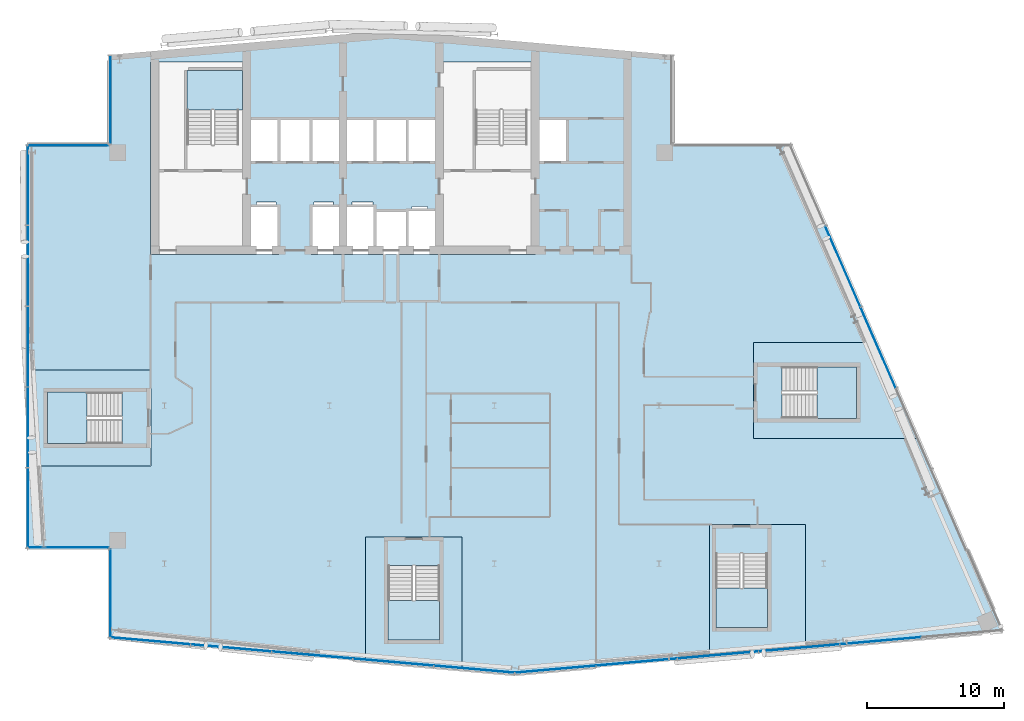
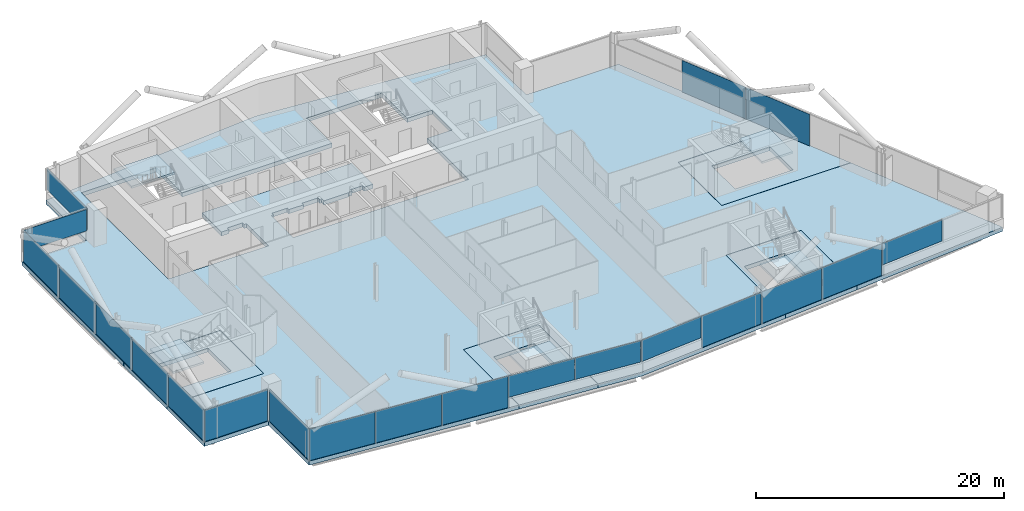
# One storey, part 13 of 25: 21 plates, 10 slabs, 13 elements without a shape of their own.
"""IFC4 building model written with IfcOpenShell, lengths in metres."""

from ifc_helpers import new_model, si_unit, direction, frame, origin, origin_2d, place, context, subcontext, project, spatial, polyline, rectangle, outline, extrude, material, layer, layer_set, type_object, element, aggregate, save


model = new_model("IFC4")

# Units and contexts
model_context = context("Model", 3, precision=1e-05, world=origin(), true_north=direction((0.0, 1.0)))
body_context = subcontext(model_context, "Body", "Model", "MODEL_VIEW")
ifc_project = project(units=[si_unit("LENGTHUNIT", "METRE"), si_unit("AREAUNIT", "SQUARE_METRE"), si_unit("VOLUMEUNIT", "CUBIC_METRE"), si_unit("PLANEANGLEUNIT", "RADIAN"), si_unit("MASSUNIT", "GRAM", prefix="KILO")], contexts=[model_context])

# Site, building, storey
site_placement = place(None, origin())
site = spatial("IfcSite", under=ifc_project, at=site_placement, CompositionType="ELEMENT")
building_placement = place(site_placement, origin())
building = spatial("IfcBuilding", under=site, at=building_placement, Name="Wharfspan Tower", CompositionType="ELEMENT")
storey_placement = place(building_placement, frame((0.0, 0.0, 232.300049)))
storey = spatial("IfcBuildingStorey", under=building, at=storey_placement, Name="L58", CompositionType="ELEMENT", Elevation=232.300049)

# Curtain wall, plates
ifc_material_1 = material(Name="Aluminium 6063-T6", Category="aluminium")
curtain_wall_type_1 = type_object("IfcCurtainWallType", Name="CURTAIN WALL FACETED FRONT", PredefinedType="NOTDEFINED", material=ifc_material_1)
curtain_wall_1_placement = place(storey_placement, origin())
curtain_wall_1 = element("IfcCurtainWall", 1, at=curtain_wall_1_placement, inside=storey, type_object=curtain_wall_type_1, Name="Curtain wall S1", PredefinedType="NOTDEFINED")
ifc_material_2 = material(Name="Glass clear low-iron double glazing", Category="glass")
ifc_layer_1 = layer(ifc_material_2, 0.040039)
ifc_layer_set_1 = layer_set([ifc_layer_1], Name="Glass clear low-iron double glazing")
plate_type_1 = type_object("IfcPlateType", Name="GLASS PANEL FACETED FRONT 40", PredefinedType="CURTAIN_PANEL", material=ifc_layer_set_1)
plate_1_placement = place(storey_placement, frame((40.655273, 4.328125, 1.0), z_axis=(0.0, 0.0, 1.0), x_axis=(0.996197, -0.087156, 0.0)))
plate_1 = element("IfcPlate", 2, at=plate_1_placement, type_object=plate_type_1, Name="Curtain wall S1 panel 4", PredefinedType="CURTAIN_PANEL", context=body_context, shape_type="SweptSolid", body=[
    extrude(rectangle(XDim=5.862549, YDim=0.040039, at=origin_2d()), origin(), (0.0, 0.0, 1.0), 2.120117),
])
plate_2_placement = place(storey_placement, frame((46.540283, 3.813232, 1.0), z_axis=(0.0, 0.0, 1.0), x_axis=(0.996197, -0.087156, 0.0)))
plate_2 = element("IfcPlate", 3, at=plate_2_placement, type_object=plate_type_1, Name="Curtain wall S1 panel 5", PredefinedType="CURTAIN_PANEL", context=body_context, shape_type="SweptSolid", body=[
    extrude(rectangle(XDim=5.83252, YDim=0.040039, at=origin_2d()), origin(), (0.0, 0.0, 1.0), 2.120117),
])

curtain_wall_2_placement = place(storey_placement, origin())
curtain_wall_2 = element("IfcCurtainWall", 4, at=curtain_wall_2_placement, inside=storey, type_object=curtain_wall_type_1, Name="Curtain wall S2", PredefinedType="NOTDEFINED")
plate_3_placement = place(storey_placement, frame((52.468018, 3.813965, 1.0), z_axis=(0.0, 0.0, 1.0), x_axis=(0.996197, 0.087156, 0.0)))
plate_3 = element("IfcPlate", 5, at=plate_3_placement, type_object=plate_type_1, Name="Curtain wall S2 panel 1", PredefinedType="CURTAIN_PANEL", context=body_context, shape_type="SweptSolid", body=[
    extrude(rectangle(XDim=5.849365, YDim=0.040039, at=origin_2d()), origin(), (0.0, 0.0, 1.0), 2.120117),
])
plate_4_placement = place(storey_placement, frame((76.119873, 5.883301, 1.0), z_axis=(0.0, 0.0, 1.0), x_axis=(0.996197, 0.087156, 0.0)))
plate_4 = element("IfcPlate", 6, at=plate_4_placement, type_object=plate_type_1, Name="Curtain wall S2 panel 5", PredefinedType="CURTAIN_PANEL", context=body_context, shape_type="SweptSolid", body=[
    extrude(rectangle(XDim=5.87915, YDim=0.040039, at=origin_2d()), origin(), (0.0, 0.0, 1.0), 2.120117),
])

# Curtain wall, plate
curtain_wall_type_2 = type_object("IfcCurtainWallType", Name="CURTAIN WALL PROW AND END", PredefinedType="NOTDEFINED", material=ifc_material_1)
curtain_wall_3_placement = place(storey_placement, origin())
curtain_wall_3 = element("IfcCurtainWall", 7, at=curtain_wall_3_placement, inside=storey, type_object=curtain_wall_type_2, Name="Curtain wall NRW-V", PredefinedType="NOTDEFINED")
ifc_layer_2 = layer(ifc_material_2, 0.040039)
ifc_layer_set_2 = layer_set([ifc_layer_2], Name="Glass clear low-iron double glazing")
plate_type_2 = type_object("IfcPlateType", Name="GLASS PANEL PROW AND END 40", PredefinedType="CURTAIN_PANEL", material=ifc_layer_set_2)
plate_5_placement = place(storey_placement, frame((20.080078, 45.262451, 1.0), z_axis=(0.0, 0.0, 1.0), x_axis=(0.0, -1.0, 0.0)))
plate_5 = element("IfcPlate", 8, at=plate_5_placement, type_object=plate_type_2, Name="Curtain wall NRW-V panel 1", PredefinedType="CURTAIN_PANEL", context=body_context, shape_type="SweptSolid", body=[
    extrude(rectangle(XDim=6.405029, YDim=0.040039, at=origin_2d()), origin(), (0.0, 0.0, 1.0), 2.120117),
])
aggregate(curtain_wall_3, [plate_5])

curtain_wall_4_placement = place(storey_placement, origin())
curtain_wall_4 = element("IfcCurtainWall", 9, at=curtain_wall_4_placement, inside=storey, type_object=curtain_wall_type_2, Name="Curtain wall NRW-H", PredefinedType="NOTDEFINED")
plate_6_placement = place(storey_placement, frame((17.0, 41.919922, 1.0), z_axis=(0.0, 0.0, 1.0), x_axis=(-1.0, 0.0, 0.0)))
plate_6 = element("IfcPlate", 10, at=plate_6_placement, type_object=plate_type_2, Name="Curtain wall NRW-H panel 1", PredefinedType="CURTAIN_PANEL", context=body_context, shape_type="SweptSolid", body=[
    extrude(rectangle(XDim=5.879883, YDim=0.040039, at=origin_2d()), origin(), (0.0, 0.0, 1.0), 2.120117),
])
aggregate(curtain_wall_4, [plate_6])

# Plate
ifc_material_3 = material(Name="Aluminium composite opaque insulated panel", Category="aluminium")
ifc_layer_3 = layer(ifc_material_3, 0.040039)
ifc_layer_set_3 = layer_set([ifc_layer_3], Name="Aluminium composite opaque insulated panel")
plate_type_3 = type_object("IfcPlateType", Name="INFILL PANEL FACETED FRONT OPAQUE 40", PredefinedType="SHEET", material=ifc_layer_set_3)
plate_7_placement = place(storey_placement, frame((22.970215, 5.875488, 0.0), z_axis=(0.0, 0.0, 1.0), x_axis=(0.996197, -0.087156, 0.0)))
plate_7 = element("IfcPlate", 11, at=plate_7_placement, type_object=plate_type_3, Name="Curtain wall S1 panel 1", PredefinedType="SHEET", context=body_context, shape_type="SweptSolid", body=[
    extrude(rectangle(XDim=5.83252, YDim=0.040039, at=origin_2d()), origin(), (0.0, 0.0, 1.0), 3.120117),
])

plate_8_placement = place(storey_placement, frame((28.855225, 5.360596, 0.0), z_axis=(0.0, 0.0, 1.0), x_axis=(0.996197, -0.087156, 0.0)))
plate_8 = element("IfcPlate", 12, at=plate_8_placement, type_object=plate_type_3, Name="Curtain wall S1 panel 2", PredefinedType="SHEET", context=body_context, shape_type="SweptSolid", body=[
    extrude(rectangle(XDim=5.862549, YDim=0.040039, at=origin_2d()), origin(), (0.0, 0.0, 1.0), 3.120117),
])

plate_9_placement = place(storey_placement, frame((34.755127, 4.844482, 0.0), z_axis=(0.0, 0.0, 1.0), x_axis=(0.996197, -0.087156, 0.0)))
plate_9 = element("IfcPlate", 13, at=plate_9_placement, type_object=plate_type_3, Name="Curtain wall S1 panel 3", PredefinedType="SHEET", context=body_context, shape_type="SweptSolid", body=[
    extrude(rectangle(XDim=5.862549, YDim=0.040039, at=origin_2d()), origin(), (0.0, 0.0, 1.0), 3.120117),
])

aggregate(curtain_wall_1, [plate_7, plate_8, plate_9, plate_1, plate_2])

plate_10_placement = place(storey_placement, frame((58.369873, 4.330322, 0.0), z_axis=(0.0, 0.0, 1.0), x_axis=(0.996197, 0.087156, 0.0)))
plate_10 = element("IfcPlate", 14, at=plate_10_placement, type_object=plate_type_3, Name="Curtain wall S2 panel 2", PredefinedType="SHEET", context=body_context, shape_type="SweptSolid", body=[
    extrude(rectangle(XDim=5.87915, YDim=0.040039, at=origin_2d()), origin(), (0.0, 0.0, 1.0), 3.120117),
])

plate_11_placement = place(storey_placement, frame((64.286377, 4.848145, 0.0), z_axis=(0.0, 0.0, 1.0), x_axis=(0.996197, 0.087156, 0.0)))
plate_11 = element("IfcPlate", 15, at=plate_11_placement, type_object=plate_type_3, Name="Curtain wall S2 panel 3", PredefinedType="SHEET", context=body_context, shape_type="SweptSolid", body=[
    extrude(rectangle(XDim=5.87915, YDim=0.040039, at=origin_2d()), origin(), (0.0, 0.0, 1.0), 3.120117),
])

plate_12_placement = place(storey_placement, frame((70.203125, 5.365723, 0.0), z_axis=(0.0, 0.0, 1.0), x_axis=(0.996197, 0.087156, 0.0)))
plate_12 = element("IfcPlate", 16, at=plate_12_placement, type_object=plate_type_3, Name="Curtain wall S2 panel 4", PredefinedType="SHEET", context=body_context, shape_type="SweptSolid", body=[
    extrude(rectangle(XDim=5.87915, YDim=0.040039, at=origin_2d()), origin(), (0.0, 0.0, 1.0), 3.120117),
])

aggregate(curtain_wall_2, [plate_3, plate_10, plate_11, plate_12, plate_4])

# Curtain wall, plates
curtain_wall_5_placement = place(storey_placement, origin())
curtain_wall_5 = element("IfcCurtainWall", 17, at=curtain_wall_5_placement, inside=storey, type_object=curtain_wall_type_2, Name="Curtain wall E", PredefinedType="NOTDEFINED")
ifc_layer_4 = layer(ifc_material_3, 0.040039)
ifc_layer_set_4 = layer_set([ifc_layer_4], Name="Aluminium composite opaque insulated panel")
plate_type_4 = type_object("IfcPlateType", Name="INFILL PANEL PROW AND END OPAQUE 40", PredefinedType="SHEET", material=ifc_layer_set_4)
plate_13_placement = place(storey_placement, frame((75.948486, 27.218018, 0.0), z_axis=(0.0, 0.0, 1.0), x_axis=(-0.398727, 0.917072, 0.0)))
plate_13 = element("IfcPlate", 18, at=plate_13_placement, type_object=plate_type_4, Name="Curtain wall E panel 4", PredefinedType="SHEET", context=body_context, shape_type="SweptSolid", body=[
    extrude(rectangle(XDim=6.373535, YDim=0.040039, at=origin_2d()), origin(), (0.0, 0.0, 1.0), 3.120117),
])
plate_14_placement = place(storey_placement, frame((73.383057, 33.118164, 0.0), z_axis=(0.0, 0.0, 1.0), x_axis=(-0.398727, 0.917072, 0.0)))
plate_14 = element("IfcPlate", 19, at=plate_14_placement, type_object=plate_type_4, Name="Curtain wall E panel 5", PredefinedType="SHEET", context=body_context, shape_type="SweptSolid", body=[
    extrude(rectangle(XDim=6.373535, YDim=0.040039, at=origin_2d()), origin(), (0.0, 0.0, 1.0), 3.120117),
])
aggregate(curtain_wall_5, [plate_13, plate_14])

curtain_wall_6_placement = place(storey_placement, origin())
curtain_wall_6 = element("IfcCurtainWall", 20, at=curtain_wall_6_placement, inside=storey, type_object=curtain_wall_type_2, Name="Curtain wall W", PredefinedType="NOTDEFINED")
plate_15_placement = place(storey_placement, frame((14.080078, 39.044922, 0.0), z_axis=(0.0, 0.0, 1.0), x_axis=(0.0, -1.0, 0.0)))
plate_15 = element("IfcPlate", 21, at=plate_15_placement, type_object=plate_type_4, Name="Curtain wall W panel 1", PredefinedType="SHEET", context=body_context, shape_type="SweptSolid", body=[
    extrude(rectangle(XDim=5.790039, YDim=0.040039, at=origin_2d()), origin(), (0.0, 0.0, 1.0), 3.120117),
])
plate_16_placement = place(storey_placement, frame((14.080078, 33.179932, 0.0), z_axis=(0.0, 0.0, 1.0), x_axis=(0.0, -1.0, 0.0)))
plate_16 = element("IfcPlate", 22, at=plate_16_placement, type_object=plate_type_4, Name="Curtain wall W panel 2", PredefinedType="SHEET", context=body_context, shape_type="SweptSolid", body=[
    extrude(rectangle(XDim=5.820068, YDim=0.040039, at=origin_2d()), origin(), (0.0, 0.0, 1.0), 3.120117),
])
plate_17_placement = place(storey_placement, frame((14.080078, 27.300049, 0.0), z_axis=(0.0, 0.0, 1.0), x_axis=(0.0, -1.0, 0.0)))
plate_17 = element("IfcPlate", 23, at=plate_17_placement, type_object=plate_type_4, Name="Curtain wall W panel 3", PredefinedType="SHEET", context=body_context, shape_type="SweptSolid", body=[
    extrude(rectangle(XDim=5.820068, YDim=0.040039, at=origin_2d()), origin(), (0.0, 0.0, 1.0), 3.120117),
])
plate_18_placement = place(storey_placement, frame((14.080078, 21.419922, 0.0), z_axis=(0.0, 0.0, 1.0), x_axis=(0.0, -1.0, 0.0)))
plate_18 = element("IfcPlate", 24, at=plate_18_placement, type_object=plate_type_4, Name="Curtain wall W panel 4", PredefinedType="SHEET", context=body_context, shape_type="SweptSolid", body=[
    extrude(rectangle(XDim=5.820068, YDim=0.040039, at=origin_2d()), origin(), (0.0, 0.0, 1.0), 3.120117),
])
plate_19_placement = place(storey_placement, frame((14.080078, 15.554932, 0.0), z_axis=(0.0, 0.0, 1.0), x_axis=(0.0, -1.0, 0.0)))
plate_19 = element("IfcPlate", 25, at=plate_19_placement, type_object=plate_type_4, Name="Curtain wall W panel 5", PredefinedType="SHEET", context=body_context, shape_type="SweptSolid", body=[
    extrude(rectangle(XDim=5.790039, YDim=0.040039, at=origin_2d()), origin(), (0.0, 0.0, 1.0), 3.120117),
])
aggregate(curtain_wall_6, [plate_15, plate_16, plate_17, plate_18, plate_19])

# Curtain wall, plate
curtain_wall_7_placement = place(storey_placement, origin())
curtain_wall_7 = element("IfcCurtainWall", 26, at=curtain_wall_7_placement, inside=storey, type_object=curtain_wall_type_2, Name="Curtain wall NFW-H", PredefinedType="NOTDEFINED")
plate_20_placement = place(storey_placement, frame((17.0, 12.679932, 0.0), z_axis=(0.0, 0.0, 1.0), x_axis=(1.0, 0.0, 0.0)))
plate_20 = element("IfcPlate", 27, at=plate_20_placement, type_object=plate_type_4, Name="Curtain wall NFW-H panel 1", PredefinedType="SHEET", context=body_context, shape_type="SweptSolid", body=[
    extrude(rectangle(XDim=5.879883, YDim=0.040039, at=origin_2d()), origin(), (0.0, 0.0, 1.0), 3.120117),
])
aggregate(curtain_wall_7, [plate_20])

curtain_wall_8_placement = place(storey_placement, origin())
curtain_wall_8 = element("IfcCurtainWall", 28, at=curtain_wall_8_placement, inside=storey, type_object=curtain_wall_type_2, Name="Curtain wall NFW-V", PredefinedType="NOTDEFINED")
plate_21_placement = place(storey_placement, frame((20.080078, 9.337646, 0.0), z_axis=(0.0, 0.0, 1.0), x_axis=(0.0, -1.0, 0.0)))
plate_21 = element("IfcPlate", 29, at=plate_21_placement, type_object=plate_type_4, Name="Curtain wall NFW-V panel 1", PredefinedType="SHEET", context=body_context, shape_type="SweptSolid", body=[
    extrude(rectangle(XDim=6.405029, YDim=0.040039, at=origin_2d()), origin(), (0.0, 0.0, 1.0), 3.120117),
])
aggregate(curtain_wall_8, [plate_21])

# Slabs
ifc_material_4 = material(Name="Concrete C40/50", Category="concrete")
ifc_layer_5 = layer(ifc_material_4, 0.399902)
ifc_layer_set_5 = layer_set([ifc_layer_5], Name="Concrete C40/50")
slab_type_1 = type_object("IfcSlabType", Name="Post-tensioned flat slab 400", PredefinedType="FLOOR", material=ifc_layer_set_5)
slab_1_placement = place(storey_placement, frame((0.0, 0.0, -0.400146)))
element("IfcSlab", 30, at=slab_1_placement, inside=storey, type_object=slab_type_1, Name="Floor slab L58", PredefinedType="FLOOR", context=body_context, shape_type="SweptSolid", body=[
    extrude(outline(polyline([(38.64209, 4.444092), (38.64209, 13.453125), (45.662109, 13.453125), (45.662109, 3.829834), (49.5, 3.494141), (63.658691, 4.73291), (63.658691, 14.356201), (70.678711, 14.356201), (70.678711, 5.347168), (85.0, 6.600098), (78.91748, 20.590088), (66.859619, 20.590088), (66.859619, 27.610107), (75.865234, 27.610107), (69.608643, 42.0), (61.0, 42.0), (61.0, 48.524902), (40.5, 50.318359), (20.0, 48.524902), (20.0, 42.0), (14.0, 42.0), (14.0, 25.610107), (23.01001, 25.610107), (23.01001, 18.590088), (14.0, 18.590088), (14.0, 12.600098), (20.0, 12.600098), (20.0, 6.075195), (38.64209, 4.444092)]), holes=[polyline([(32.126709, 37.560059), (32.343262, 37.560059), (32.343262, 33.98999), (22.98999, 33.98999), (22.98999, 48.01001), (30.01001, 48.01001), (30.01001, 43.909912), (43.98999, 43.909912), (43.98999, 48.01001), (51.01001, 48.01001), (51.01001, 43.909912), (53.343262, 43.909912), (53.343262, 40.689941), (51.01001, 40.689941), (51.01001, 33.98999), (34.656738, 33.98999), (34.656738, 37.560059), (34.873291, 37.560059), (34.873291, 37.810059), (36.293213, 37.810059), (36.293213, 37.560059), (37.666748, 37.560059), (37.666748, 37.810059), (39.166748, 37.810059), (39.166748, 37.560059), (39.343262, 37.560059), (39.343262, 37.209961), (41.656738, 37.209961), (41.656738, 37.26001), (42.023193, 37.26001), (42.023193, 37.51001), (43.143311, 37.51001), (43.143311, 37.26001), (43.98999, 37.26001), (43.98999, 40.689941), (30.01001, 40.689941), (30.01001, 37.560059), (30.706787, 37.560059), (30.706787, 37.810059), (32.126709, 37.810059), (32.126709, 37.560059)])]), origin(), (0.0, 0.0, 1.0), 0.400146),
])
slab_2_placement = place(storey_placement, frame((0.0, 0.0, -0.400146)))
element("IfcSlab", 31, at=slab_2_placement, inside=storey, type_object=slab_type_1, Name="Core floor slab L58 part 1", PredefinedType="FLOOR", context=body_context, shape_type="SweptSolid", body=[
    extrude(outline(polyline([(23.0, 19.925049), (23.0, 24.274902), (23.0, 25.600098), (14.0, 25.600098), (14.0, 18.600098), (23.0, 18.600098), (23.0, 19.925049)]), holes=[polyline([(20.899902, 23.977051), (20.900146, 23.977051), (20.900391, 23.977051), (20.900635, 23.976807), (20.900879, 23.976807), (20.900879, 23.976807), (20.901123, 23.976807), (20.901367, 23.976562), (20.901367, 23.976318), (20.901611, 23.976318), (20.901611, 23.976074), (20.901855, 23.97583), (20.901855, 23.97583), (20.901855, 23.975586), (20.9021, 23.975342), (20.9021, 23.975098), (20.9021, 23.975098), (20.9021, 20.225098), (20.9021, 20.224854), (20.9021, 20.224609), (20.901855, 20.224365), (20.901855, 20.224121), (20.901855, 20.224121), (20.901611, 20.223877), (20.901611, 20.223633), (20.901367, 20.223633), (20.901367, 20.223389), (20.901123, 20.223389), (20.900879, 20.223145), (20.900879, 20.223145), (20.900635, 20.223145), (20.900391, 20.2229), (20.900146, 20.2229), (20.899902, 20.2229), (15.5, 20.2229), (15.499756, 20.2229), (15.499512, 20.2229), (15.499512, 20.223145), (15.499268, 20.223145), (15.499023, 20.223145), (15.498779, 20.223389), (15.498779, 20.223389), (15.498535, 20.223633), (15.498535, 20.223633), (15.498291, 20.223877), (15.498291, 20.224121), (15.498291, 20.224121), (15.498047, 20.224365), (15.498047, 20.224609), (15.498047, 20.224854), (15.498047, 20.225098), (15.498047, 23.975098), (15.498047, 23.975098), (15.498047, 23.975342), (15.498047, 23.975586), (15.498291, 23.97583), (15.498291, 23.97583), (15.498291, 23.976074), (15.498535, 23.976318), (15.498535, 23.976318), (15.498779, 23.976562), (15.498779, 23.976807), (15.499023, 23.976807), (15.499268, 23.976807), (15.499512, 23.976807), (15.499512, 23.977051), (15.499756, 23.977051), (15.5, 23.977051), (20.899902, 23.977051)])]), origin(), (0.0, 0.0, 1.0), 0.400146),
])
slab_3_placement = place(storey_placement, frame((0.0, 0.0, -0.400146)))
element("IfcSlab", 32, at=slab_3_placement, inside=storey, type_object=slab_type_1, Name="Core floor slab L58 part 3", PredefinedType="FLOOR", context=body_context, shape_type="SweptSolid", body=[
    extrude(outline(polyline([(44.327148, 13.443115), (39.977051, 13.443115), (38.6521, 13.443115), (38.6521, 4.443115), (45.6521, 3.830811), (45.6521, 13.443115), (44.327148, 13.443115)]), holes=[polyline([(40.275146, 11.343262), (40.275146, 11.343506), (40.275146, 11.343506), (40.275146, 11.34375), (40.275391, 11.343994), (40.275391, 11.344238), (40.275391, 11.344238), (40.275635, 11.344482), (40.275635, 11.344482), (40.275879, 11.344727), (40.275879, 11.344971), (40.276123, 11.344971), (40.276367, 11.345215), (40.276611, 11.345215), (40.276611, 11.345215), (40.276855, 11.345215), (40.2771, 11.345215), (44.0271, 11.345215), (44.027344, 11.345215), (44.027588, 11.345215), (44.027588, 11.345215), (44.027832, 11.345215), (44.028076, 11.344971), (44.02832, 11.344971), (44.02832, 11.344727), (44.028564, 11.344482), (44.028809, 11.344482), (44.028809, 11.344238), (44.028809, 11.344238), (44.029053, 11.343994), (44.029053, 11.34375), (44.029053, 11.343506), (44.029053, 11.343506), (44.029053, 11.343262), (44.029053, 5.943115), (44.029053, 5.943115), (44.029053, 5.942871), (44.029053, 5.942627), (44.029053, 5.942383), (44.028809, 5.942383), (44.028809, 5.942139), (44.028809, 5.941895), (44.028564, 5.941895), (44.02832, 5.94165), (44.02832, 5.94165), (44.028076, 5.941406), (44.027832, 5.941406), (44.027588, 5.941406), (44.027588, 5.941406), (44.027344, 5.941162), (44.0271, 5.941162), (40.2771, 5.941162), (40.276855, 5.941162), (40.276611, 5.941406), (40.276611, 5.941406), (40.276367, 5.941406), (40.276123, 5.941406), (40.275879, 5.94165), (40.275879, 5.94165), (40.275635, 5.941895), (40.275635, 5.941895), (40.275391, 5.942139), (40.275391, 5.942383), (40.275391, 5.942383), (40.275146, 5.942627), (40.275146, 5.942871), (40.275146, 5.943115), (40.275146, 5.943115), (40.275146, 11.343262)])]), origin(), (0.0, 0.0, 1.0), 0.400146),
])
slab_4_placement = place(storey_placement, frame((0.0, 0.0, -0.400146)))
element("IfcSlab", 33, at=slab_4_placement, inside=storey, type_object=slab_type_1, Name="Core floor slab L58 part 4", PredefinedType="FLOOR", context=body_context, shape_type="SweptSolid", body=[
    extrude(outline(polyline([(70.668701, 14.346191), (68.193848, 14.346191), (63.84375, 14.346191), (63.668701, 14.346191), (63.668701, 4.733887), (70.668701, 5.346191), (70.668701, 14.346191)]), holes=[polyline([(64.141846, 12.246094), (64.141846, 12.246338), (64.141846, 12.246582), (64.141846, 12.246826), (64.14209, 12.246826), (64.14209, 12.24707), (64.14209, 12.247314), (64.142334, 12.247559), (64.142334, 12.247559), (64.142578, 12.247803), (64.142578, 12.247803), (64.142822, 12.247803), (64.143066, 12.248047), (64.143311, 12.248047), (64.143311, 12.248047), (64.143555, 12.248291), (64.143799, 12.248291), (67.893799, 12.248291), (67.894043, 12.248291), (67.894287, 12.248047), (67.894287, 12.248047), (67.894531, 12.248047), (67.894775, 12.247803), (67.89502, 12.247803), (67.89502, 12.247803), (67.895264, 12.247559), (67.895508, 12.247559), (67.895508, 12.247314), (67.895508, 12.24707), (67.895752, 12.246826), (67.895752, 12.246826), (67.895752, 12.246582), (67.895752, 12.246338), (67.895752, 12.246094), (67.895752, 6.846191), (67.895752, 6.845947), (67.895752, 6.845703), (67.895752, 6.845703), (67.895752, 6.845459), (67.895508, 6.845215), (67.895508, 6.845215), (67.895508, 6.844971), (67.895264, 6.844727), (67.89502, 6.844482), (67.89502, 6.844482), (67.894775, 6.844482), (67.894531, 6.844238), (67.894287, 6.844238), (67.894287, 6.844238), (67.894043, 6.844238), (67.893799, 6.844238), (64.143799, 6.844238), (64.143555, 6.844238), (64.143311, 6.844238), (64.143311, 6.844238), (64.143066, 6.844238), (64.142822, 6.844482), (64.142578, 6.844482), (64.142578, 6.844482), (64.142334, 6.844727), (64.142334, 6.844971), (64.14209, 6.845215), (64.14209, 6.845215), (64.14209, 6.845459), (64.141846, 6.845703), (64.141846, 6.845703), (64.141846, 6.845947), (64.141846, 6.846191), (64.141846, 12.246094)])]), origin(), (0.0, 0.0, 1.0), 0.400146),
])
slab_5_placement = place(storey_placement, frame((0.0, 0.0, -0.400146)))
element("IfcSlab", 34, at=slab_5_placement, inside=storey, type_object=slab_type_1, Name="Core floor slab L58 part 5", PredefinedType="FLOOR", context=body_context, shape_type="SweptSolid", body=[
    extrude(outline(polyline([(75.869629, 27.600098), (66.869629, 27.600098), (66.869629, 26.125), (66.869629, 21.774902), (66.869629, 20.600098), (78.913086, 20.600098), (75.869629, 27.600098)]), holes=[polyline([(68.967529, 25.824951), (68.967529, 25.825195), (68.967529, 25.825439), (68.967773, 25.825684), (68.967773, 25.825684), (68.967773, 25.825928), (68.968018, 25.826172), (68.968018, 25.826416), (68.968262, 25.826416), (68.968262, 25.826416), (68.968506, 25.82666), (68.968506, 25.826904), (68.96875, 25.826904), (68.968994, 25.826904), (68.969238, 25.826904), (68.969482, 25.826904), (68.969482, 25.826904), (74.369629, 25.826904), (74.369873, 25.826904), (74.370117, 25.826904), (74.370117, 25.826904), (74.370361, 25.826904), (74.370605, 25.826904), (74.370605, 25.82666), (74.37085, 25.826416), (74.371094, 25.826416), (74.371094, 25.826416), (74.371094, 25.826172), (74.371338, 25.825928), (74.371338, 25.825684), (74.371582, 25.825684), (74.371582, 25.825439), (74.371582, 25.825195), (74.371582, 25.824951), (74.371582, 22.074951), (74.371582, 22.074707), (74.371582, 22.074707), (74.371582, 22.074463), (74.371338, 22.074219), (74.371338, 22.074219), (74.371094, 22.073975), (74.371094, 22.07373), (74.371094, 22.073486), (74.37085, 22.073486), (74.370605, 22.073242), (74.370605, 22.073242), (74.370361, 22.073242), (74.370117, 22.072998), (74.370117, 22.072998), (74.369873, 22.072998), (74.369629, 22.072998), (68.969482, 22.072998), (68.969482, 22.072998), (68.969238, 22.072998), (68.968994, 22.072998), (68.96875, 22.073242), (68.968506, 22.073242), (68.968506, 22.073242), (68.968262, 22.073486), (68.968262, 22.073486), (68.968018, 22.07373), (68.968018, 22.073975), (68.967773, 22.074219), (68.967773, 22.074219), (68.967773, 22.074463), (68.967529, 22.074707), (68.967529, 22.074707), (68.967529, 22.074951), (68.967529, 25.824951)])]), origin(), (0.0, 0.0, 1.0), 0.400146),
])

# Stair, slab
stair_type = type_object("IfcStairType", Name="Half-turn stair 20 risers 180 mm", PredefinedType="HALF_TURN_STAIR", material=ifc_material_4)
stair_1_placement = place(storey_placement, origin())
stair_1 = element("IfcStair", 35, at=stair_1_placement, inside=storey, type_object=stair_type, Name="L58 stair ST1", PredefinedType="HALF_TURN_STAIR")
ifc_layer_6 = layer(ifc_material_4, 0.199951)
ifc_layer_set_6 = layer_set([ifc_layer_6], Name="Concrete C40/50")
slab_type_2 = type_object("IfcSlabType", Name="Stair landing 200", PredefinedType="LANDING", material=ifc_layer_set_6)
slab_6_placement = place(storey_placement, frame((0.0, 0.0, 1.599854)))
slab_6 = element("IfcSlab", 36, at=slab_6_placement, type_object=slab_type_2, Name="ST1 landing 1", PredefinedType="LANDING", context=body_context, shape_type="SweptSolid", body=[
    extrude(outline(polyline([(25.649902, 44.52002), (29.699951, 44.52002), (29.699951, 47.399902), (25.649902, 47.399902), (25.649902, 44.52002)])), origin(), (0.0, 0.0, 1.0), 0.200195),
])
aggregate(stair_1, [slab_6])

stair_2_placement = place(storey_placement, origin())
stair_2 = element("IfcStair", 37, at=stair_2_placement, inside=storey, type_object=stair_type, Name="L58 stair ST3", PredefinedType="HALF_TURN_STAIR")
slab_7_placement = place(storey_placement, frame((0.0, 0.0, 1.599854)))
slab_7 = element("IfcSlab", 38, at=slab_7_placement, type_object=slab_type_2, Name="ST3 landing 1", PredefinedType="LANDING", context=body_context, shape_type="SweptSolid", body=[
    extrude(outline(polyline([(18.379883, 23.975098), (15.5, 23.975098), (15.5, 20.225098), (18.379883, 20.225098), (18.379883, 23.975098)])), origin(), (0.0, 0.0, 1.0), 0.200195),
])
aggregate(stair_2, [slab_7])

stair_3_placement = place(storey_placement, origin())
stair_3 = element("IfcStair", 39, at=stair_3_placement, inside=storey, type_object=stair_type, Name="L58 stair ST4", PredefinedType="HALF_TURN_STAIR")
slab_8_placement = place(storey_placement, frame((0.0, 0.0, 1.599854)))
slab_8 = element("IfcSlab", 40, at=slab_8_placement, type_object=slab_type_2, Name="ST4 landing 1", PredefinedType="LANDING", context=body_context, shape_type="SweptSolid", body=[
    extrude(outline(polyline([(40.2771, 8.823242), (40.2771, 5.943115), (44.0271, 5.943115), (44.0271, 8.823242), (40.2771, 8.823242)])), origin(), (0.0, 0.0, 1.0), 0.200195),
])
aggregate(stair_3, [slab_8])

stair_4_placement = place(storey_placement, origin())
stair_4 = element("IfcStair", 41, at=stair_4_placement, inside=storey, type_object=stair_type, Name="L58 stair ST5", PredefinedType="HALF_TURN_STAIR")
slab_9_placement = place(storey_placement, frame((0.0, 0.0, 1.599854)))
slab_9 = element("IfcSlab", 42, at=slab_9_placement, type_object=slab_type_2, Name="ST5 landing 1", PredefinedType="LANDING", context=body_context, shape_type="SweptSolid", body=[
    extrude(outline(polyline([(64.143799, 9.726074), (64.143799, 6.846191), (67.893799, 6.846191), (67.893799, 9.726074), (64.143799, 9.726074)])), origin(), (0.0, 0.0, 1.0), 0.200195),
])
aggregate(stair_4, [slab_9])

stair_5_placement = place(storey_placement, origin())
stair_5 = element("IfcStair", 43, at=stair_5_placement, inside=storey, type_object=stair_type, Name="L58 stair ST6", PredefinedType="HALF_TURN_STAIR")
slab_10_placement = place(storey_placement, frame((0.0, 0.0, 1.599854)))
slab_10 = element("IfcSlab", 44, at=slab_10_placement, type_object=slab_type_2, Name="ST6 landing 1", PredefinedType="LANDING", context=body_context, shape_type="SweptSolid", body=[
    extrude(outline(polyline([(71.489502, 22.074951), (74.369629, 22.074951), (74.369629, 25.824951), (71.489502, 25.824951), (71.489502, 22.074951)])), origin(), (0.0, 0.0, 1.0), 0.200195),
])
aggregate(stair_5, [slab_10])

save(model, "model.ifc")
